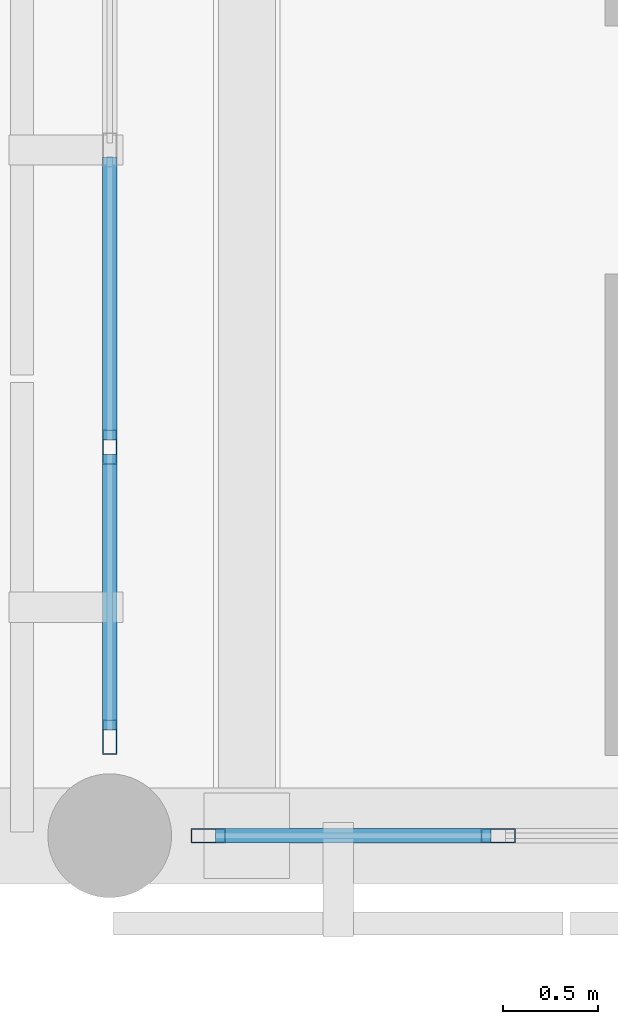
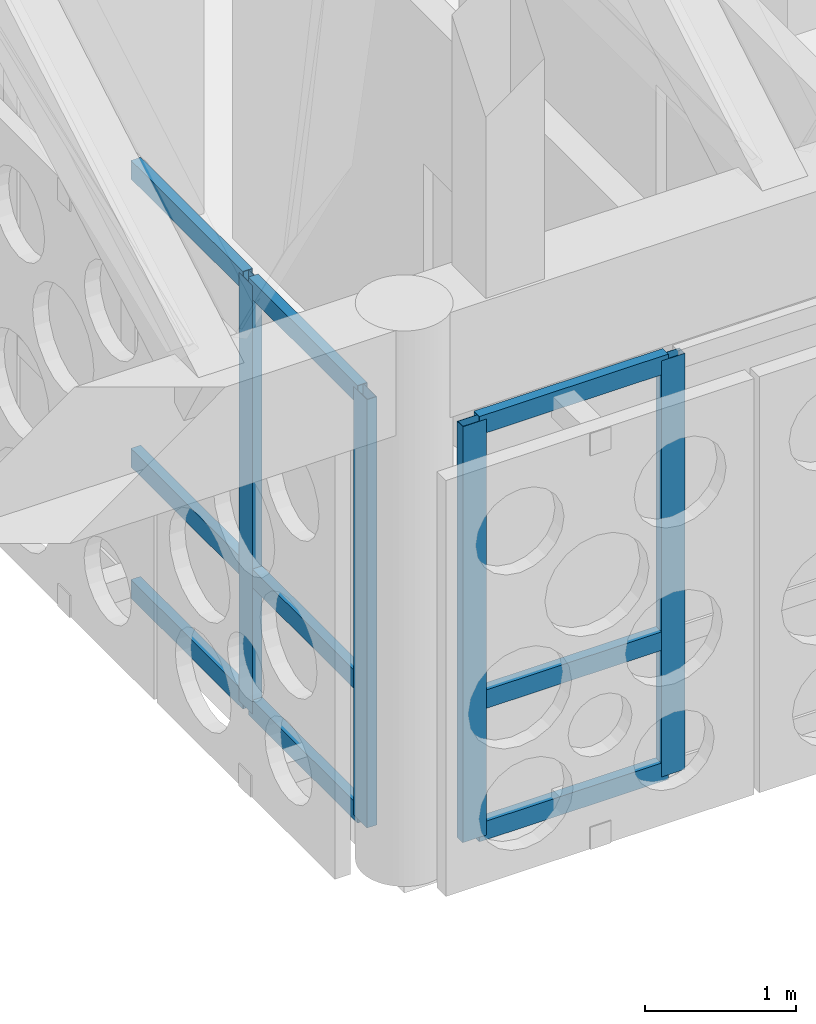
# One storey, part 35 of 171: 13 members, 2 elements without a shape of their own.
"""IFC4 building model written with IfcOpenShell, lengths in metres."""

from ifc_helpers import new_model, si_unit, direction, frame, origin, origin_2d, place, context, subcontext, project, spatial, hollow_rectangle, extrude, material, material_profile, profile_set, type_object, element, aggregate, save


model = new_model("IFC4")

# Units and contexts
model_context = context("Model", 3, precision=1e-05, world=origin(), true_north=direction((0.0, 1.0)))
body_context = subcontext(model_context, "Body", "Model", "MODEL_VIEW")
ifc_project = project(units=[si_unit("LENGTHUNIT", "METRE"), si_unit("AREAUNIT", "SQUARE_METRE"), si_unit("VOLUMEUNIT", "CUBIC_METRE"), si_unit("PLANEANGLEUNIT", "RADIAN"), si_unit("MASSUNIT", "GRAM", prefix="KILO")], contexts=[model_context])

# Site, building, storey
site_placement = place(None, origin())
site = spatial("IfcSite", under=ifc_project, at=site_placement, CompositionType="ELEMENT")
building_placement = place(site_placement, origin())
building = spatial("IfcBuilding", under=site, at=building_placement, Name="Aldebral Square Health Centre", CompositionType="ELEMENT")
storey_placement = place(building_placement, frame((0.0, 0.0, 4.5)))
storey = spatial("IfcBuildingStorey", under=building, at=storey_placement, Name="L01", CompositionType="ELEMENT", Elevation=4.5)

# Curtain wall, members
ifc_material_1 = material(Name="Aluminium and low-E solar glass", Category="aluminium")
curtain_wall_type = type_object("IfcCurtainWallType", Name="CW-HALL-SYS", PredefinedType="USERDEFINED", material=ifc_material_1)
curtain_wall_1_placement = place(storey_placement, origin())
curtain_wall_1 = element("IfcCurtainWall", 1, at=curtain_wall_1_placement, inside=storey, type_object=curtain_wall_type, Name="L01 V1 hall curtain wall L01-V1-14-10-S", ObjectType="HALL_CURTAIN_WALL", PredefinedType="USERDEFINED")
ifc_material_2 = material(Name="Anodised aluminium mullion", Category="aluminium")
ifc_material_profile_1 = material_profile(ifc_material_2, hollow_rectangle(XDim=0.074951171875, YDim=0.179931640625, WallThickness=0.00390625, at=origin_2d()), Name="CWM 75x180x4")
ifc_profile_set_1 = profile_set([ifc_material_profile_1], Name="Anodised aluminium mullion")
member_type_1 = type_object("IfcMemberType", Name="CWM-STD", PredefinedType="MULLION", material=ifc_profile_set_1)
member_1_placement = place(storey_placement, frame((101.3173828125, 72.0, 0.0), z_axis=(0.0, 0.0, 1.0), x_axis=(0.0, 1.0, 0.0)))
member_1 = element("IfcMember", 2, at=member_1_placement, type_object=member_type_1, Name="CW2 mullion 1", PredefinedType="MULLION", context=body_context, shape_type="SweptSolid", body=[
    extrude(hollow_rectangle(XDim=0.074951171875, YDim=0.179931640625, WallThickness=0.00390625, at=origin_2d()), origin(), (0.0, 0.0, 1.0), 3.3701171875),
])
member_2_placement = place(storey_placement, frame((102.840087890625, 72.0, 0.0), z_axis=(0.0, 0.0, 1.0), x_axis=(0.0, 1.0, 0.0)))
member_2 = element("IfcMember", 3, at=member_2_placement, type_object=member_type_1, Name="CW2 mullion 2", PredefinedType="MULLION", context=body_context, shape_type="SweptSolid", body=[
    extrude(hollow_rectangle(XDim=0.074951171875, YDim=0.179931640625, WallThickness=0.00390625, at=origin_2d()), origin(), (0.0, 0.0, 1.0), 3.3701171875),
])

curtain_wall_2_placement = place(storey_placement, origin())
curtain_wall_2 = element("IfcCurtainWall", 4, at=curtain_wall_2_placement, inside=storey, type_object=curtain_wall_type, Name="L01 V1 hall curtain wall L01-V1-14-10-W", ObjectType="HALL_CURTAIN_WALL", PredefinedType="USERDEFINED")
member_3_placement = place(storey_placement, frame((100.800048828125, 74.0400390625, 0.0), z_axis=(0.0, 0.0, 1.0), x_axis=(1.0, 0.0, 0.0)))
member_3 = element("IfcMember", 5, at=member_3_placement, type_object=member_type_1, Name="CW2 mullion 4", PredefinedType="MULLION", context=body_context, shape_type="SweptSolid", body=[
    extrude(hollow_rectangle(XDim=0.074951171875, YDim=0.179931640625, WallThickness=0.00390625, at=origin_2d()), origin(), (0.0, 0.0, 1.0), 3.469970703125),
])
member_4_placement = place(storey_placement, frame((100.800048828125, 72.517578125, 0.0), z_axis=(0.0, 0.0, 1.0), x_axis=(1.0, 0.0, 0.0)))
member_4 = element("IfcMember", 6, at=member_4_placement, type_object=member_type_1, Name="CW2 mullion 5", PredefinedType="MULLION", context=body_context, shape_type="SweptSolid", body=[
    extrude(hollow_rectangle(XDim=0.074951171875, YDim=0.179931640625, WallThickness=0.00390625, at=origin_2d()), origin(), (0.0, 0.0, 1.0), 3.469970703125),
])

# Member
ifc_material_3 = material(Name="Anodised aluminium transom", Category="aluminium")
ifc_material_profile_2 = material_profile(ifc_material_3, hollow_rectangle(XDim=0.074951171875, YDim=0.14990234375, WallThickness=0.00390625, at=origin_2d()), Name="CWT 75x150x4")
ifc_profile_set_2 = profile_set([ifc_material_profile_2], Name="Anodised aluminium transom")
member_type_2 = type_object("IfcMemberType", Name="CWT-STD", PredefinedType="USERDEFINED", material=ifc_profile_set_2)
member_5_placement = place(storey_placement, frame((101.35498046875, 72.0, 0.03759765625), z_axis=(1.0, 0.0, 0.0), x_axis=(0.0, 1.0, 0.0)))
member_5 = element("IfcMember", 7, at=member_5_placement, type_object=member_type_2, Name="CW2 transom 1.1", ObjectType="TRANSOM", PredefinedType="USERDEFINED", context=body_context, shape_type="SweptSolid", body=[
    extrude(hollow_rectangle(XDim=0.074951171875, YDim=0.14990234375, WallThickness=0.00390625, at=origin_2d()), origin(), (0.0, 0.0, 1.0), 1.447509765625),
])

member_6_placement = place(storey_placement, frame((101.35498046875, 72.0, 1.10009765625), z_axis=(1.0, 0.0, 0.0), x_axis=(0.0, 1.0, 0.0)))
member_6 = element("IfcMember", 8, at=member_6_placement, type_object=member_type_2, Name="CW2 transom 1.2", ObjectType="TRANSOM", PredefinedType="USERDEFINED", context=body_context, shape_type="SweptSolid", body=[
    extrude(hollow_rectangle(XDim=0.074951171875, YDim=0.14990234375, WallThickness=0.00390625, at=origin_2d()), origin(), (0.0, 0.0, 1.0), 1.447509765625),
])

member_7_placement = place(storey_placement, frame((101.35498046875, 72.0, 3.33251953125), z_axis=(1.0, 0.0, 0.0), x_axis=(0.0, 1.0, 0.0)))
member_7 = element("IfcMember", 9, at=member_7_placement, type_object=member_type_2, Name="CW2 transom 1.3", ObjectType="TRANSOM", PredefinedType="USERDEFINED", context=body_context, shape_type="SweptSolid", body=[
    extrude(hollow_rectangle(XDim=0.074951171875, YDim=0.14990234375, WallThickness=0.00390625, at=origin_2d()), origin(), (0.0, 0.0, 1.0), 1.447509765625),
])

aggregate(curtain_wall_1, [member_1, member_2, member_5, member_6, member_7])

member_8_placement = place(storey_placement, frame((100.800048828125, 75.5625, 0.03759765625), z_axis=(0.0, -1.0, 0.0), x_axis=(1.0, 0.0, 0.0)))
member_8 = element("IfcMember", 10, at=member_8_placement, type_object=member_type_2, Name="CW2 transom 3.1", ObjectType="TRANSOM", PredefinedType="USERDEFINED", context=body_context, shape_type="SweptSolid", body=[
    extrude(hollow_rectangle(XDim=0.074951171875, YDim=0.14990234375, WallThickness=0.00390625, at=origin_2d()), origin(), (0.0, 0.0, 1.0), 1.485107421875),
])

member_9_placement = place(storey_placement, frame((100.800048828125, 75.5625, 1.10009765625), z_axis=(0.0, -1.0, 0.0), x_axis=(1.0, 0.0, 0.0)))
member_9 = element("IfcMember", 11, at=member_9_placement, type_object=member_type_2, Name="CW2 transom 3.2", ObjectType="TRANSOM", PredefinedType="USERDEFINED", context=body_context, shape_type="SweptSolid", body=[
    extrude(hollow_rectangle(XDim=0.074951171875, YDim=0.14990234375, WallThickness=0.00390625, at=origin_2d()), origin(), (0.0, 0.0, 1.0), 1.485107421875),
])

member_10_placement = place(storey_placement, frame((100.800048828125, 75.5625, 3.4326171875), z_axis=(0.0, -1.0, 0.0), x_axis=(1.0, 0.0, 0.0)))
member_10 = element("IfcMember", 12, at=member_10_placement, type_object=member_type_2, Name="CW2 transom 3.3", ObjectType="TRANSOM", PredefinedType="USERDEFINED", context=body_context, shape_type="SweptSolid", body=[
    extrude(hollow_rectangle(XDim=0.074951171875, YDim=0.14990234375, WallThickness=0.00390625, at=origin_2d()), origin(), (0.0, 0.0, 1.0), 1.485107421875),
])

member_11_placement = place(storey_placement, frame((100.800048828125, 74.00244140625, 0.03759765625), z_axis=(0.0, -1.0, 0.0), x_axis=(1.0, 0.0, 0.0)))
member_11 = element("IfcMember", 13, at=member_11_placement, type_object=member_type_2, Name="CW2 transom 4.1", ObjectType="TRANSOM", PredefinedType="USERDEFINED", context=body_context, shape_type="SweptSolid", body=[
    extrude(hollow_rectangle(XDim=0.074951171875, YDim=0.14990234375, WallThickness=0.00390625, at=origin_2d()), origin(), (0.0, 0.0, 1.0), 1.447509765625),
])

member_12_placement = place(storey_placement, frame((100.800048828125, 74.00244140625, 1.10009765625), z_axis=(0.0, -1.0, 0.0), x_axis=(1.0, 0.0, 0.0)))
member_12 = element("IfcMember", 14, at=member_12_placement, type_object=member_type_2, Name="CW2 transom 4.2", ObjectType="TRANSOM", PredefinedType="USERDEFINED", context=body_context, shape_type="SweptSolid", body=[
    extrude(hollow_rectangle(XDim=0.074951171875, YDim=0.14990234375, WallThickness=0.00390625, at=origin_2d()), origin(), (0.0, 0.0, 1.0), 1.447509765625),
])

member_13_placement = place(storey_placement, frame((100.800048828125, 74.00244140625, 3.4326171875), z_axis=(0.0, -1.0, 0.0), x_axis=(1.0, 0.0, 0.0)))
member_13 = element("IfcMember", 15, at=member_13_placement, type_object=member_type_2, Name="CW2 transom 4.3", ObjectType="TRANSOM", PredefinedType="USERDEFINED", context=body_context, shape_type="SweptSolid", body=[
    extrude(hollow_rectangle(XDim=0.074951171875, YDim=0.14990234375, WallThickness=0.00390625, at=origin_2d()), origin(), (0.0, 0.0, 1.0), 1.447509765625),
])

aggregate(curtain_wall_2, [member_3, member_4, member_8, member_9, member_10, member_11, member_12, member_13])

save(model, "model.ifc")
